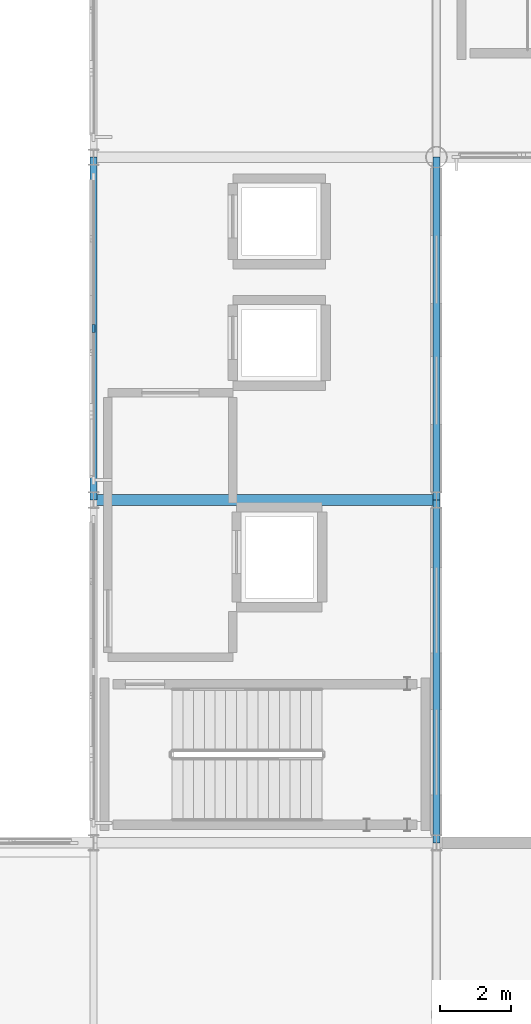
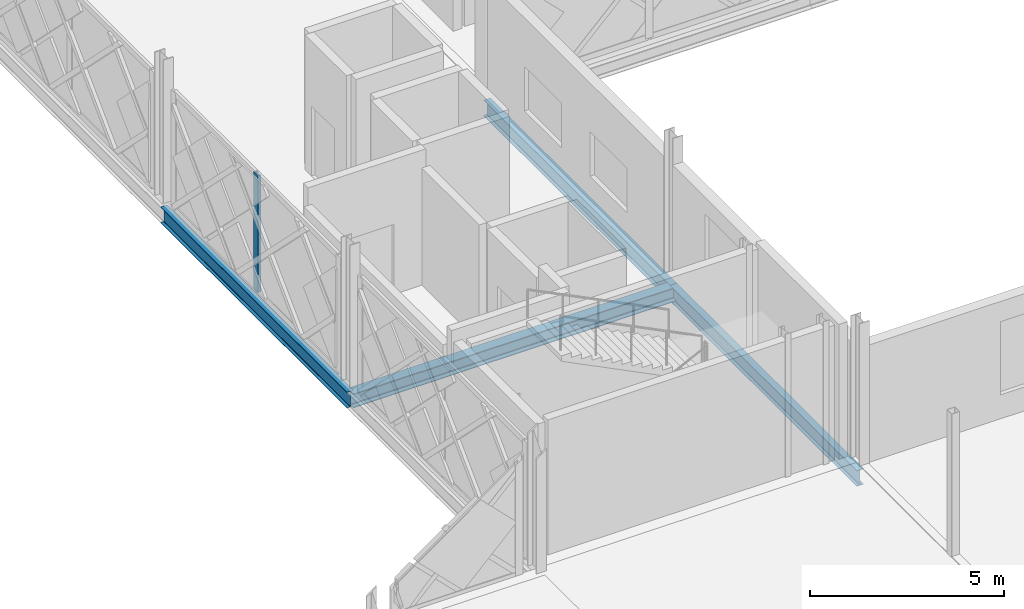
# One storey, part 42 of 101: 4 beams, 1 member, 1 element without a shape of its own.
"""IFC4 building model written with IfcOpenShell, lengths in metres."""

from ifc_helpers import new_model, si_unit, direction, frame, origin, origin_2d, place, context, subcontext, project, spatial, rectangle, i_section, extrude, material, layer, layer_set, material_profile, profile_set, type_object, element, aggregate, save


model = new_model("IFC4")

# Units and contexts
model_context = context("Model", 3, precision=1e-05, world=origin(), true_north=direction((0.0, 1.0)))
body_context = subcontext(model_context, "Body", "Model", "MODEL_VIEW")
ifc_project = project(units=[si_unit("LENGTHUNIT", "METRE"), si_unit("AREAUNIT", "SQUARE_METRE"), si_unit("VOLUMEUNIT", "CUBIC_METRE"), si_unit("PLANEANGLEUNIT", "RADIAN"), si_unit("MASSUNIT", "GRAM", prefix="KILO")], contexts=[model_context])

# Site, building, storey
site_placement = place(None, origin())
site = spatial("IfcSite", under=ifc_project, at=site_placement, CompositionType="ELEMENT")
building_placement = place(site_placement, origin())
building = spatial("IfcBuilding", under=site, at=building_placement, Name="Zevrakil Square Congress Hotel", CompositionType="ELEMENT")
storey_placement = place(building_placement, frame((0.0, 0.0, 5.39990234375)))
storey = spatial("IfcBuildingStorey", under=building, at=storey_placement, Name="L02", CompositionType="ELEMENT", Elevation=5.39990234375)

# Beams
ifc_material_1 = material(Name="Steel S355", Category="steel")
ifc_material_profile_1 = material_profile(ifc_material_1, i_section(OverallWidth=0.300048828125, OverallDepth=0.43994140625, WebThickness=0.011474609375, FlangeThickness=0.02099609375, FilletRadius=0.027099609375, at=origin_2d()), Name="HEA 450")
ifc_profile_set_1 = profile_set([ifc_material_profile_1], Name="Steel S355")
beam_type_1 = type_object("IfcBeamType", Name="BM-HEA450", PredefinedType="BEAM", material=ifc_profile_set_1)
beam_1_placement = place(storey_placement, frame((108.0, 55.199951171875, -0.47998046875), z_axis=(1.0, 0.0, 0.0), x_axis=(0.0, 1.0, 0.0)))
element("IfcBeam", 1, at=beam_1_placement, inside=storey, type_object=beam_type_1, Name="L02 primary girder BX-0750", PredefinedType="BEAM", context=body_context, shape_type="SweptSolid", body=[
    extrude(i_section(OverallWidth=0.300048828125, OverallDepth=0.43994140625, WebThickness=0.011474609375, FlangeThickness=0.02099609375, FilletRadius=0.027099609375, at=origin_2d()), origin(), (0.0, 0.0, 1.0), 9.60009765625),
])
ifc_material_2 = material(Name="Steel S355", Category="steel")
ifc_material_profile_2 = material_profile(ifc_material_2, i_section(OverallWidth=0.199951171875, OverallDepth=0.5, WebThickness=0.01025390625, FlangeThickness=0.01611328125, FilletRadius=0.02099609375, at=origin_2d()), Name="IPE 500")
ifc_profile_set_2 = profile_set([ifc_material_profile_2], Name="Steel S355")
beam_type_2 = type_object("IfcBeamType", Name="BM-IPE500", PredefinedType="BEAM", material=ifc_profile_set_2)
beam_2_placement = place(storey_placement, frame((108.0, 55.199951171875, -0.510009765625), z_axis=(0.0, 1.0, 0.0), x_axis=(-1.0, 0.0, 0.0)))
element("IfcBeam", 2, at=beam_2_placement, inside=storey, type_object=beam_type_2, Name="L02 primary girder BY-0914", PredefinedType="BEAM", context=body_context, shape_type="SweptSolid", body=[
    extrude(i_section(OverallWidth=0.199951171875, OverallDepth=0.5, WebThickness=0.01025390625, FlangeThickness=0.01611328125, FilletRadius=0.02099609375, at=origin_2d()), origin(), (0.0, 0.0, 1.0), 9.60009765625),
])
beam_3_placement = place(storey_placement, frame((117.60009765625, 45.60009765625, -0.510009765625), z_axis=(0.0, 1.0, 0.0), x_axis=(-1.0, 0.0, 0.0)))
element("IfcBeam", 3, at=beam_3_placement, inside=storey, type_object=beam_type_2, Name="L02 primary girder BY-0925", PredefinedType="BEAM", context=body_context, shape_type="SweptSolid", body=[
    extrude(i_section(OverallWidth=0.199951171875, OverallDepth=0.5, WebThickness=0.01025390625, FlangeThickness=0.01611328125, FilletRadius=0.02099609375, at=origin_2d()), origin(), (0.0, 0.0, 1.0), 9.599853515625),
])
beam_4_placement = place(storey_placement, frame((117.60009765625, 55.199951171875, -0.510009765625), z_axis=(0.0, 1.0, 0.0), x_axis=(-1.0, 0.0, 0.0)))
element("IfcBeam", 4, at=beam_4_placement, inside=storey, type_object=beam_type_2, Name="L02 primary girder BY-0926", PredefinedType="BEAM", context=body_context, shape_type="SweptSolid", body=[
    extrude(i_section(OverallWidth=0.199951171875, OverallDepth=0.5, WebThickness=0.01025390625, FlangeThickness=0.01611328125, FilletRadius=0.02099609375, at=origin_2d()), origin(), (0.0, 0.0, 1.0), 9.60009765625),
])

# Curtain wall, member
ifc_material_3 = material(Name="Aluminium Anodised Bronze", Category="aluminium")
ifc_layer = layer(ifc_material_3, 0.179931640625)
ifc_layer_set = layer_set([ifc_layer], Name="Aluminium Anodised Bronze")
curtain_wall_type = type_object("IfcCurtainWallType", Name="CW-L02-840", PredefinedType="USERDEFINED", material=ifc_layer_set)
curtain_wall_placement = place(storey_placement, origin())
curtain_wall = element("IfcCurtainWall", 5, at=curtain_wall_placement, inside=storey, type_object=curtain_wall_type, Name="L02 diamond curtain wall CW-L02-0129", ObjectType="GLAZED CURTAIN WALL", PredefinedType="USERDEFINED")
ifc_material_4 = material(Name="Aluminium Anodised Bronze", Category="aluminium")
ifc_material_profile_3 = material_profile(ifc_material_4, rectangle(XDim=0.0849609375, YDim=0.219970703125, at=origin_2d()), Name="ALU 85x220")
ifc_profile_set_3 = profile_set([ifc_material_profile_3], Name="Aluminium Anodised Bronze")
member_type = type_object("IfcMemberType", Name="CWM-ALU85x220", PredefinedType="MULLION", material=ifc_profile_set_3)
member_placement = place(storey_placement, frame((108.0, 60.0, 0.0), z_axis=(0.0, 0.0, 1.0), x_axis=(-1.0, 0.0, 0.0)))
member = element("IfcMember", 6, at=member_placement, type_object=member_type, Name="CW-23 mullion 2", PredefinedType="MULLION", context=body_context, shape_type="SweptSolid", body=[
    extrude(rectangle(XDim=0.0849609375, YDim=0.219970703125, at=origin_2d()), origin(), (0.0, 0.0, 1.0), 3.675048828125),
])
aggregate(curtain_wall, [member])

save(model, "model.ifc")
